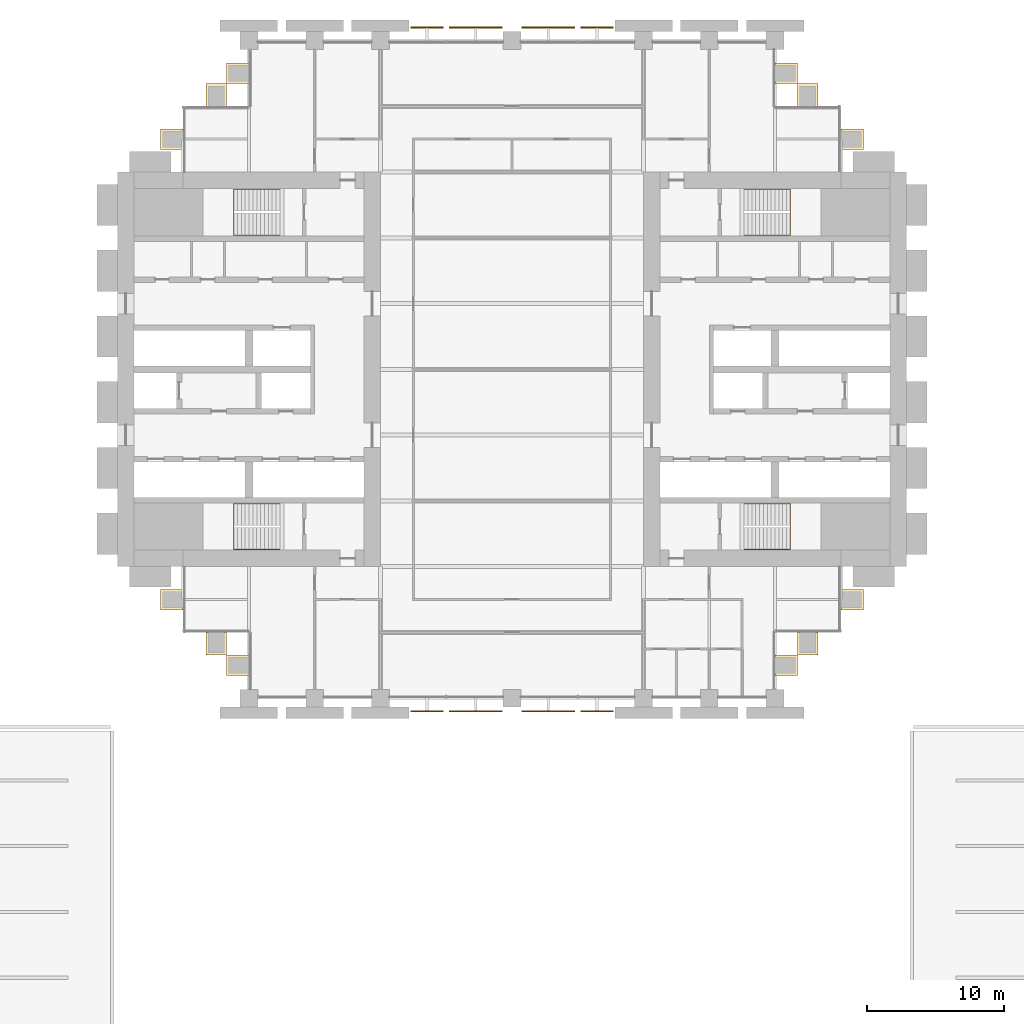
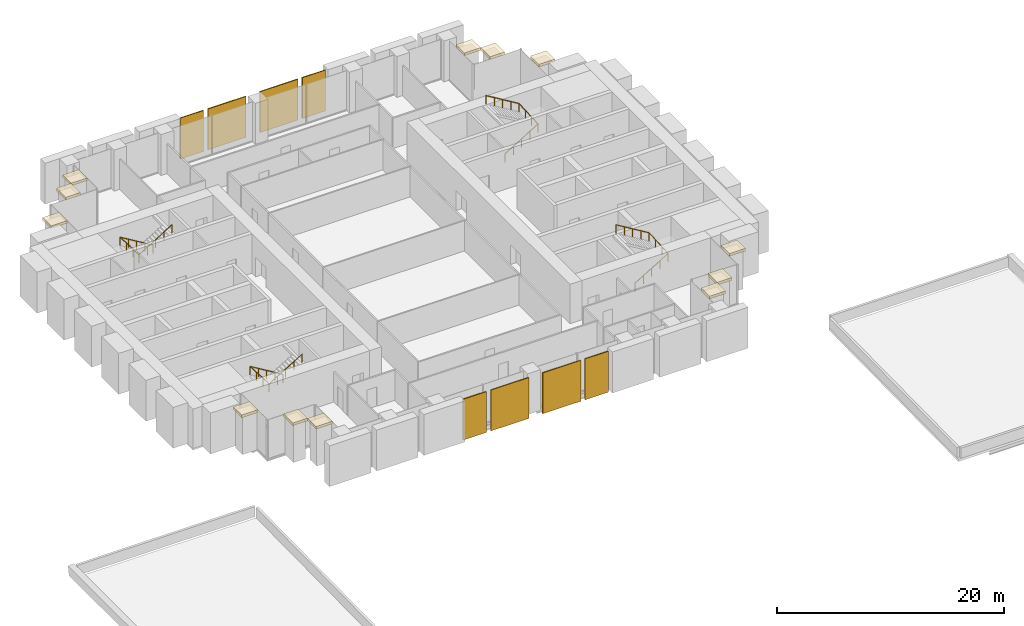
# One storey, part 14 of 14: 20 coverings, 4 railings.
"""IFC4 building model written with IfcOpenShell, lengths in metres."""

from ifc_helpers import new_model, si_unit, direction, frame, origin, origin_2d, place, context, subcontext, project, spatial, polyline, rectangle, circle, outline, extrude, material, layer, layer_set, type_object, element, save


model = new_model("IFC4")

# Units and contexts
model_context = context("Model", 3, precision=1e-05, world=origin(), true_north=direction((0.0, 1.0)))
body_context = subcontext(model_context, "Body", "Model", "MODEL_VIEW")
ifc_project = project(units=[si_unit("LENGTHUNIT", "METRE"), si_unit("AREAUNIT", "SQUARE_METRE"), si_unit("VOLUMEUNIT", "CUBIC_METRE"), si_unit("PLANEANGLEUNIT", "RADIAN"), si_unit("MASSUNIT", "GRAM", prefix="KILO")], contexts=[model_context])

# Site, building, storey
site_placement = place(None, origin())
site = spatial("IfcSite", under=ifc_project, at=site_placement, CompositionType="ELEMENT")
building_placement = place(site_placement, origin())
building = spatial("IfcBuilding", under=site, at=building_placement, Name="Baori Bourse Tower", CompositionType="ELEMENT")
storey_placement = place(building_placement, frame((0.0, 0.0, 30.199951171875)))
storey = spatial("IfcBuildingStorey", under=building, at=storey_placement, Name="L05", CompositionType="ELEMENT", Elevation=30.199951171875)

# Coverings
ifc_material_1 = material(Name="Pale anodised aluminium", Category="aluminium")
covering_type_1 = type_object("IfcCoveringType", Name="CP1 Pilaster cap", PredefinedType="CLADDING", material=ifc_material_1)
for number, where, z_axis, x_axis, name in (
    (1, (53.625, 40.800048828125, 4.10009765625), (0.0, 0.0, 1.0), (0.0, 1.0, 0.0), "Pilaster cap band L05 1"),
    (2, (50.39990234375, 44.02490234375, 4.10009765625), (0.0, 0.0, 1.0), (-1.0, 0.0, 0.0), "Pilaster cap band L05 2"),
    (3, (48.824951171875, 45.60009765625, 4.10009765625), (0.0, 0.0, 1.0), (0.0, 1.0, 0.0), "Pilaster cap band L05 3"),
    (4, (8.77490234375, 45.60009765625, 4.10009765625), (0.0, 0.0, 1.0), (0.0, -1.0, 0.0), "Pilaster cap band L05 4"),
    (5, (7.199951171875, 44.02490234375, 4.10009765625), (0.0, 0.0, 1.0), (-1.0, 0.0, 0.0), "Pilaster cap band L05 5"),
    (6, (3.97509765625, 40.800048828125, 4.10009765625), (0.0, 0.0, 1.0), (0.0, -1.0, 0.0), "Pilaster cap band L05 6"),
    (7, (3.97509765625, 7.199951171875, 4.10009765625), (0.0, 0.0, 1.0), (0.0, -1.0, 0.0), "Pilaster cap band L05 7"),
    (8, (7.199951171875, 3.97509765625, 4.10009765625), (0.0, 0.0, 1.0), (1.0, 0.0, 0.0), "Pilaster cap band L05 8"),
    (9, (8.77490234375, 2.39990234375, 4.10009765625), (0.0, 0.0, 1.0), (0.0, -1.0, 0.0), "Pilaster cap band L05 9"),
    (10, (48.824951171875, 2.39990234375, 4.10009765625), (0.0, 0.0, 1.0), (0.0, 1.0, 0.0), "Pilaster cap band L05 10"),
    (11, (50.39990234375, 3.97509765625, 4.10009765625), (0.0, 0.0, 1.0), (1.0, 0.0, 0.0), "Pilaster cap band L05 11"),
    (12, (53.625, 7.199951171875, 4.10009765625), (0.0, 0.0, 1.0), (0.0, 1.0, 0.0), "Pilaster cap band L05 12"),
):
    element("IfcCovering", number, at=place(storey_placement, frame(where, z_axis=z_axis, x_axis=x_axis)), inside=storey, type_object=covering_type_1, Name=name, PredefinedType="CLADDING", context=body_context, shape_type="SweptSolid", body=[
        extrude(rectangle(XDim=1.5, YDim=1.64990234375, at=origin_2d()), origin(), (0.0, 0.0, 1.0), 0.300048828125),
    ])

# Railings
ifc_material_2 = material(Name="Powder-coated steel balustrade", Category="steel")
railing_type = type_object("IfcRailingType", Name="Core stair handrail", PredefinedType="HANDRAIL", material=ifc_material_2)
railing_1_placement = place(storey_placement, frame((11.85009765625, 14.199951171875, 0.169189453125)))
element("IfcRailing", 13, at=railing_1_placement, inside=storey, type_object=railing_type, Name="L05 ST1 stair handrail 1", PredefinedType="HANDRAIL", context=body_context, shape_type="SweptSolid", body=[
    extrude(circle(Radius=0.02392578125, at=origin_2d()), frame((0.0, 0.0, 0.8759765625), z_axis=(-0.855836976705, 0.0, 0.517245656632), x_axis=(0.0, -1.0, 0.0)), (0.0, 0.0, 1.0), 3.926025390625),
    extrude(circle(Radius=0.02392578125, at=origin_2d()), frame((-3.360107421875, 0.0, 2.90673828125), z_axis=(0.0, -0.998723311025, 0.050514829666), x_axis=(1.0, 0.0, 0.0)), (0.0, 0.0, 1.0), 3.354248046875),
    extrude(circle(Radius=0.02392578125, at=origin_2d()), frame((-3.360107421875, -3.349853515625, 3.076171875), z_axis=(0.855836976705, 0.0, 0.517245656632), x_axis=(0.0, 1.0, 0.0)), (0.0, 0.0, 1.0), 3.926025390625),
    extrude(circle(Radius=0.02099609375, at=origin_2d()), origin(), (0.0, 0.0, 1.0), 0.851806640625),
    extrude(circle(Radius=0.02099609375, at=origin_2d()), frame((-0.840087890625, 0.0, 0.5078125)), (0.0, 0.0, 1.0), 0.851806640625),
    extrude(circle(Radius=0.02099609375, at=origin_2d()), frame((-1.68017578125, 0.0, 1.015380859375)), (0.0, 0.0, 1.0), 0.851806640625),
    extrude(circle(Radius=0.02099609375, at=origin_2d()), frame((-2.52001953125, 0.0, 1.52294921875)), (0.0, 0.0, 1.0), 0.851806640625),
    extrude(circle(Radius=0.02099609375, at=origin_2d()), frame((-3.360107421875, 0.0, 2.03076171875)), (0.0, 0.0, 1.0), 0.851806640625),
    extrude(circle(Radius=0.02099609375, at=origin_2d()), frame((-3.360107421875, -1.11669921875, 2.087158203125)), (0.0, 0.0, 1.0), 0.851806640625),
    extrude(circle(Radius=0.02099609375, at=origin_2d()), frame((-3.360107421875, -2.233154296875, 2.143798828125)), (0.0, 0.0, 1.0), 0.851806640625),
    extrude(circle(Radius=0.02099609375, at=origin_2d()), frame((-3.360107421875, -3.349853515625, 2.2001953125)), (0.0, 0.0, 1.0), 0.851806640625),
    extrude(circle(Radius=0.02099609375, at=origin_2d()), frame((-2.52001953125, -3.349853515625, 2.7080078125)), (0.0, 0.0, 1.0), 0.851806640625),
    extrude(circle(Radius=0.02099609375, at=origin_2d()), frame((-1.68017578125, -3.349853515625, 3.215576171875)), (0.0, 0.0, 1.0), 0.851806640625),
    extrude(circle(Radius=0.02099609375, at=origin_2d()), frame((-0.840087890625, -3.349853515625, 3.72314453125)), (0.0, 0.0, 1.0), 0.851806640625),
    extrude(circle(Radius=0.02099609375, at=origin_2d()), frame((0.0, -3.349853515625, 4.23095703125)), (0.0, 0.0, 1.0), 0.851806640625),
])
railing_2_placement = place(storey_placement, frame((11.85009765625, 37.14990234375, 0.169189453125)))
element("IfcRailing", 14, at=railing_2_placement, inside=storey, type_object=railing_type, Name="L05 ST2 stair handrail 1", PredefinedType="HANDRAIL", context=body_context, shape_type="SweptSolid", body=[
    extrude(circle(Radius=0.02392578125, at=origin_2d()), frame((0.0, 0.0, 0.8759765625), z_axis=(-0.855836976705, 0.0, 0.517245656632), x_axis=(0.0, -1.0, 0.0)), (0.0, 0.0, 1.0), 3.926025390625),
    extrude(circle(Radius=0.02392578125, at=origin_2d()), frame((-3.360107421875, 0.0, 2.90673828125), z_axis=(0.0, -0.998723311025, 0.050514829666), x_axis=(1.0, 0.0, 0.0)), (0.0, 0.0, 1.0), 3.354248046875),
    extrude(circle(Radius=0.02392578125, at=origin_2d()), frame((-3.360107421875, -3.349853515625, 3.076171875), z_axis=(0.855836976705, 0.0, 0.517245656632), x_axis=(0.0, 1.0, 0.0)), (0.0, 0.0, 1.0), 3.926025390625),
    extrude(circle(Radius=0.02099609375, at=origin_2d()), origin(), (0.0, 0.0, 1.0), 0.851806640625),
    extrude(circle(Radius=0.02099609375, at=origin_2d()), frame((-0.840087890625, 0.0, 0.5078125)), (0.0, 0.0, 1.0), 0.851806640625),
    extrude(circle(Radius=0.02099609375, at=origin_2d()), frame((-1.68017578125, 0.0, 1.015380859375)), (0.0, 0.0, 1.0), 0.851806640625),
    extrude(circle(Radius=0.02099609375, at=origin_2d()), frame((-2.52001953125, 0.0, 1.52294921875)), (0.0, 0.0, 1.0), 0.851806640625),
    extrude(circle(Radius=0.02099609375, at=origin_2d()), frame((-3.360107421875, 0.0, 2.03076171875)), (0.0, 0.0, 1.0), 0.851806640625),
    extrude(circle(Radius=0.02099609375, at=origin_2d()), frame((-3.360107421875, -1.11669921875, 2.087158203125)), (0.0, 0.0, 1.0), 0.851806640625),
    extrude(circle(Radius=0.02099609375, at=origin_2d()), frame((-3.360107421875, -2.233154296875, 2.143798828125)), (0.0, 0.0, 1.0), 0.851806640625),
    extrude(circle(Radius=0.02099609375, at=origin_2d()), frame((-3.360107421875, -3.349853515625, 2.2001953125)), (0.0, 0.0, 1.0), 0.851806640625),
    extrude(circle(Radius=0.02099609375, at=origin_2d()), frame((-2.52001953125, -3.349853515625, 2.7080078125)), (0.0, 0.0, 1.0), 0.851806640625),
    extrude(circle(Radius=0.02099609375, at=origin_2d()), frame((-1.68017578125, -3.349853515625, 3.215576171875)), (0.0, 0.0, 1.0), 0.851806640625),
    extrude(circle(Radius=0.02099609375, at=origin_2d()), frame((-0.840087890625, -3.349853515625, 3.72314453125)), (0.0, 0.0, 1.0), 0.851806640625),
    extrude(circle(Radius=0.02099609375, at=origin_2d()), frame((0.0, -3.349853515625, 4.23095703125)), (0.0, 0.0, 1.0), 0.851806640625),
])
railing_3_placement = place(storey_placement, frame((45.75, 10.85009765625, 0.169189453125)))
element("IfcRailing", 15, at=railing_3_placement, inside=storey, type_object=railing_type, Name="L05 ST3 stair handrail 1", PredefinedType="HANDRAIL", context=body_context, shape_type="SweptSolid", body=[
    extrude(circle(Radius=0.02392578125, at=origin_2d()), frame((0.0, 0.0, 0.8759765625), z_axis=(0.855836976705, 0.0, 0.517245656632), x_axis=(0.0, 1.0, 0.0)), (0.0, 0.0, 1.0), 3.926025390625),
    extrude(circle(Radius=0.02392578125, at=origin_2d()), frame((3.360107421875, 0.0, 2.90673828125), z_axis=(0.0, 0.998723311025, 0.050514829666), x_axis=(-1.0, 0.0, 0.0)), (0.0, 0.0, 1.0), 3.354248046875),
    extrude(circle(Radius=0.02392578125, at=origin_2d()), frame((3.360107421875, 3.349853515625, 3.076171875), z_axis=(-0.855836976705, 0.0, 0.517245656632), x_axis=(0.0, -1.0, 0.0)), (0.0, 0.0, 1.0), 3.926025390625),
    extrude(circle(Radius=0.02099609375, at=origin_2d()), origin(), (0.0, 0.0, 1.0), 0.851806640625),
    extrude(circle(Radius=0.02099609375, at=origin_2d()), frame((0.840087890625, 0.0, 0.5078125)), (0.0, 0.0, 1.0), 0.851806640625),
    extrude(circle(Radius=0.02099609375, at=origin_2d()), frame((1.68017578125, 0.0, 1.015380859375)), (0.0, 0.0, 1.0), 0.851806640625),
    extrude(circle(Radius=0.02099609375, at=origin_2d()), frame((2.52001953125, 0.0, 1.52294921875)), (0.0, 0.0, 1.0), 0.851806640625),
    extrude(circle(Radius=0.02099609375, at=origin_2d()), frame((3.360107421875, 0.0, 2.03076171875)), (0.0, 0.0, 1.0), 0.851806640625),
    extrude(circle(Radius=0.02099609375, at=origin_2d()), frame((3.360107421875, 1.11669921875, 2.087158203125)), (0.0, 0.0, 1.0), 0.851806640625),
    extrude(circle(Radius=0.02099609375, at=origin_2d()), frame((3.360107421875, 2.233154296875, 2.143798828125)), (0.0, 0.0, 1.0), 0.851806640625),
    extrude(circle(Radius=0.02099609375, at=origin_2d()), frame((3.360107421875, 3.349853515625, 2.2001953125)), (0.0, 0.0, 1.0), 0.851806640625),
    extrude(circle(Radius=0.02099609375, at=origin_2d()), frame((2.52001953125, 3.349853515625, 2.7080078125)), (0.0, 0.0, 1.0), 0.851806640625),
    extrude(circle(Radius=0.02099609375, at=origin_2d()), frame((1.68017578125, 3.349853515625, 3.215576171875)), (0.0, 0.0, 1.0), 0.851806640625),
    extrude(circle(Radius=0.02099609375, at=origin_2d()), frame((0.840087890625, 3.349853515625, 3.72314453125)), (0.0, 0.0, 1.0), 0.851806640625),
    extrude(circle(Radius=0.02099609375, at=origin_2d()), frame((0.0, 3.349853515625, 4.23095703125)), (0.0, 0.0, 1.0), 0.851806640625),
])
railing_4_placement = place(storey_placement, frame((45.75, 33.800048828125, 0.169189453125)))
element("IfcRailing", 16, at=railing_4_placement, inside=storey, type_object=railing_type, Name="L05 ST4 stair handrail 1", PredefinedType="HANDRAIL", context=body_context, shape_type="SweptSolid", body=[
    extrude(circle(Radius=0.02392578125, at=origin_2d()), frame((0.0, 0.0, 0.8759765625), z_axis=(0.855836976705, 0.0, 0.517245656632), x_axis=(0.0, 1.0, 0.0)), (0.0, 0.0, 1.0), 3.926025390625),
    extrude(circle(Radius=0.02392578125, at=origin_2d()), frame((3.360107421875, 0.0, 2.90673828125), z_axis=(0.0, 0.998723311025, 0.050514829666), x_axis=(-1.0, 0.0, 0.0)), (0.0, 0.0, 1.0), 3.354248046875),
    extrude(circle(Radius=0.02392578125, at=origin_2d()), frame((3.360107421875, 3.349853515625, 3.076171875), z_axis=(-0.855836976705, 0.0, 0.517245656632), x_axis=(0.0, -1.0, 0.0)), (0.0, 0.0, 1.0), 3.926025390625),
    extrude(circle(Radius=0.02099609375, at=origin_2d()), origin(), (0.0, 0.0, 1.0), 0.851806640625),
    extrude(circle(Radius=0.02099609375, at=origin_2d()), frame((0.840087890625, 0.0, 0.5078125)), (0.0, 0.0, 1.0), 0.851806640625),
    extrude(circle(Radius=0.02099609375, at=origin_2d()), frame((1.68017578125, 0.0, 1.015380859375)), (0.0, 0.0, 1.0), 0.851806640625),
    extrude(circle(Radius=0.02099609375, at=origin_2d()), frame((2.52001953125, 0.0, 1.52294921875)), (0.0, 0.0, 1.0), 0.851806640625),
    extrude(circle(Radius=0.02099609375, at=origin_2d()), frame((3.360107421875, 0.0, 2.03076171875)), (0.0, 0.0, 1.0), 0.851806640625),
    extrude(circle(Radius=0.02099609375, at=origin_2d()), frame((3.360107421875, 1.11669921875, 2.087158203125)), (0.0, 0.0, 1.0), 0.851806640625),
    extrude(circle(Radius=0.02099609375, at=origin_2d()), frame((3.360107421875, 2.233154296875, 2.143798828125)), (0.0, 0.0, 1.0), 0.851806640625),
    extrude(circle(Radius=0.02099609375, at=origin_2d()), frame((3.360107421875, 3.349853515625, 2.2001953125)), (0.0, 0.0, 1.0), 0.851806640625),
    extrude(circle(Radius=0.02099609375, at=origin_2d()), frame((2.52001953125, 3.349853515625, 2.7080078125)), (0.0, 0.0, 1.0), 0.851806640625),
    extrude(circle(Radius=0.02099609375, at=origin_2d()), frame((1.68017578125, 3.349853515625, 3.215576171875)), (0.0, 0.0, 1.0), 0.851806640625),
    extrude(circle(Radius=0.02099609375, at=origin_2d()), frame((0.840087890625, 3.349853515625, 3.72314453125)), (0.0, 0.0, 1.0), 0.851806640625),
    extrude(circle(Radius=0.02099609375, at=origin_2d()), frame((0.0, 3.349853515625, 4.23095703125)), (0.0, 0.0, 1.0), 0.851806640625),
])

# Coverings
ifc_material_3 = material(Name="Pale anodised aluminium", Category="aluminium")
ifc_layer = layer(ifc_material_3, 0.10009765625)
ifc_layer_set = layer_set([ifc_layer], Name="OS3 Outer skin screen panel")
covering_type_2 = type_object("IfcCoveringType", Name="OS3 Outer skin screen panel", PredefinedType="CLADDING", material=ifc_layer_set)
covering_1_placement = place(storey_placement, frame((0.0, 0.0, -0.159912109375)))
element("IfcCovering", 17, at=covering_1_placement, inside=storey, type_object=covering_type_2, Name="Outer skin screen L05 1", PredefinedType="CLADDING", context=body_context, shape_type="SweptSolid", body=[
    extrude(outline(polyline([(33.824951171875, 48.89990234375), (36.199951171875, 48.89990234375), (36.199951171875, 49.0), (33.824951171875, 49.0), (33.824951171875, 48.89990234375)])), origin(), (0.0, 0.0, 1.0), 4.39990234375),
])
covering_2_placement = place(storey_placement, frame((0.0, 0.0, -0.159912109375)))
element("IfcCovering", 18, at=covering_2_placement, inside=storey, type_object=covering_type_2, Name="Outer skin screen L05 2", PredefinedType="CLADDING", context=body_context, shape_type="SweptSolid", body=[
    extrude(outline(polyline([(29.5, 48.89990234375), (33.375, 48.89990234375), (33.375, 49.0), (29.5, 49.0), (29.5, 48.89990234375)])), origin(), (0.0, 0.0, 1.0), 4.39990234375),
])
covering_3_placement = place(storey_placement, frame((0.0, 0.0, -0.159912109375)))
element("IfcCovering", 19, at=covering_3_placement, inside=storey, type_object=covering_type_2, Name="Outer skin screen L05 3", PredefinedType="CLADDING", context=body_context, shape_type="SweptSolid", body=[
    extrude(outline(polyline([(24.22509765625, 48.89990234375), (28.10009765625, 48.89990234375), (28.10009765625, 49.0), (24.22509765625, 49.0), (24.22509765625, 48.89990234375)])), origin(), (0.0, 0.0, 1.0), 4.39990234375),
])
covering_4_placement = place(storey_placement, frame((0.0, 0.0, -0.159912109375)))
element("IfcCovering", 20, at=covering_4_placement, inside=storey, type_object=covering_type_2, Name="Outer skin screen L05 4", PredefinedType="CLADDING", context=body_context, shape_type="SweptSolid", body=[
    extrude(outline(polyline([(21.39990234375, 48.89990234375), (23.77490234375, 48.89990234375), (23.77490234375, 49.0), (21.39990234375, 49.0), (21.39990234375, 48.89990234375)])), origin(), (0.0, 0.0, 1.0), 4.39990234375),
])
covering_5_placement = place(storey_placement, frame((0.0, 0.0, -0.159912109375)))
element("IfcCovering", 21, at=covering_5_placement, inside=storey, type_object=covering_type_2, Name="Outer skin screen L05 5", PredefinedType="CLADDING", context=body_context, shape_type="SweptSolid", body=[
    extrude(outline(polyline([(23.77490234375, -0.89990234375), (21.39990234375, -0.89990234375), (21.39990234375, -1.0), (23.77490234375, -1.0), (23.77490234375, -0.89990234375)])), origin(), (0.0, 0.0, 1.0), 4.39990234375),
])
covering_6_placement = place(storey_placement, frame((0.0, 0.0, -0.159912109375)))
element("IfcCovering", 22, at=covering_6_placement, inside=storey, type_object=covering_type_2, Name="Outer skin screen L05 6", PredefinedType="CLADDING", context=body_context, shape_type="SweptSolid", body=[
    extrude(outline(polyline([(28.10009765625, -0.89990234375), (24.22509765625, -0.89990234375), (24.22509765625, -1.0), (28.10009765625, -1.0), (28.10009765625, -0.89990234375)])), origin(), (0.0, 0.0, 1.0), 4.39990234375),
])
covering_7_placement = place(storey_placement, frame((0.0, 0.0, -0.159912109375)))
element("IfcCovering", 23, at=covering_7_placement, inside=storey, type_object=covering_type_2, Name="Outer skin screen L05 7", PredefinedType="CLADDING", context=body_context, shape_type="SweptSolid", body=[
    extrude(outline(polyline([(33.375, -0.89990234375), (29.5, -0.89990234375), (29.5, -1.0), (33.375, -1.0), (33.375, -0.89990234375)])), origin(), (0.0, 0.0, 1.0), 4.39990234375),
])
covering_8_placement = place(storey_placement, frame((0.0, 0.0, -0.159912109375)))
element("IfcCovering", 24, at=covering_8_placement, inside=storey, type_object=covering_type_2, Name="Outer skin screen L05 8", PredefinedType="CLADDING", context=body_context, shape_type="SweptSolid", body=[
    extrude(outline(polyline([(36.199951171875, -0.89990234375), (33.824951171875, -0.89990234375), (33.824951171875, -1.0), (36.199951171875, -1.0), (36.199951171875, -0.89990234375)])), origin(), (0.0, 0.0, 1.0), 4.39990234375),
])

save(model, "model.ifc")
